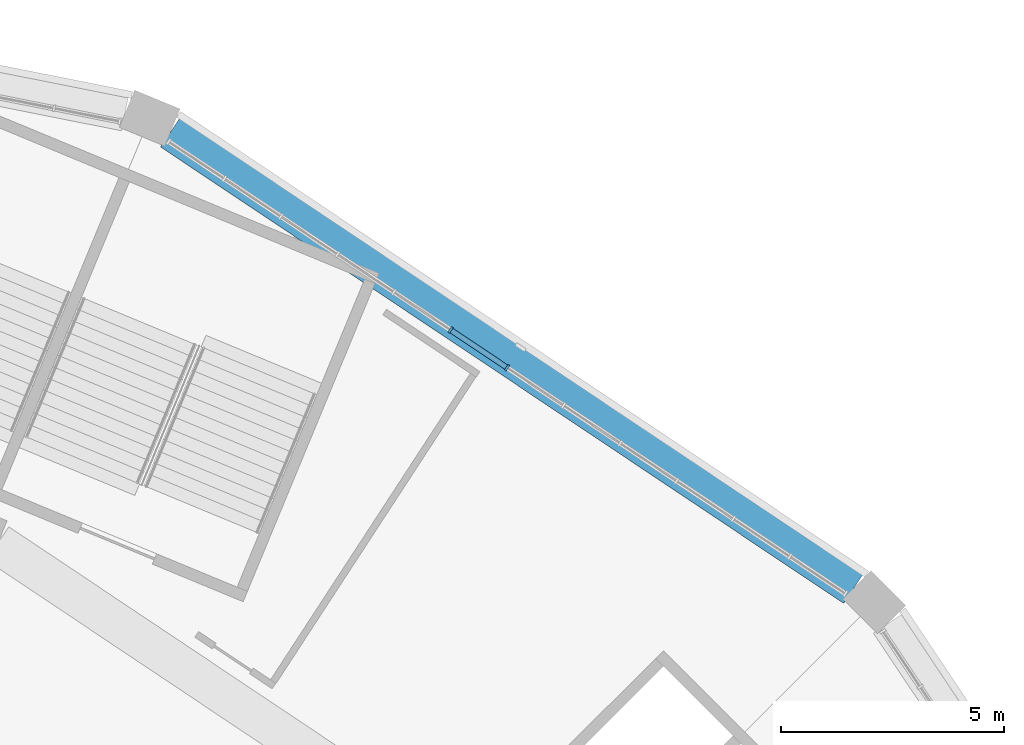
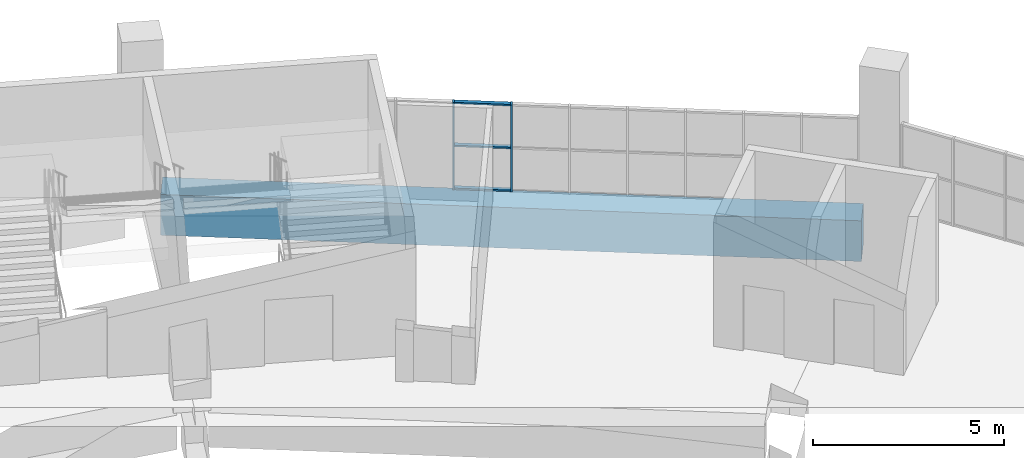
# One storey, part 55 of 199: 5 members, 1 beam, 1 element without a shape of its own.
"""IFC4 building model written with IfcOpenShell, lengths in metres."""

import ifcopenshell
import ifcopenshell.guid

model = None  # the IFC model being written
_history = None  # IfcOwnerHistory: only IFC2X3 demands one
_inside = {}  # id of a spatial element -> (the spatial element, [elements in it])
_under = {}  # id of a project, library or spatial element -> (it, [spatial elements below it])
_declared = {}  # id of a project -> (the project, [libraries it declares])
_typed = {}  # id of a type object -> (the type object, [elements of that type])
_made_of = {}  # id of a material, layer set ... -> (it, [elements and type objects made of it])


def new_model(schema):
    """Start an empty IFC model of exactly this schema.

    Asked for "IFC4X3", IfcOpenShell would pick the latest addendum, in which some entities
    have other attributes; the version numbers below select the first issue.
    IFC2X3 requires an IfcOwnerHistory on every rooted entity: one is made here for all.
    """
    global model, _history
    if schema == "IFC4X3":
        model = ifcopenshell.file(schema_version=(4, 3, 0, 0))
    else:
        model = ifcopenshell.file(schema=schema)
    _inside.clear()
    _under.clear()
    _declared.clear()
    _typed.clear()
    _made_of.clear()
    _history = None
    if model.schema == "IFC2X3":
        org = make("IfcOrganization", Name="unknown")
        user = make(
            "IfcPersonAndOrganization",
            ThePerson=make("IfcPerson", FamilyName="unknown"),
            TheOrganization=org,
        )
        app = make(
            "IfcApplication",
            ApplicationDeveloper=org,
            Version="unknown",
            ApplicationFullName="unknown",
            ApplicationIdentifier="unknown",
        )
        _history = make(
            "IfcOwnerHistory",
            OwningUser=user,
            OwningApplication=app,
            ChangeAction="ADDED",
            CreationDate=0,
        )
    return model


def make(cls, **values):
    """One entity of the class cls with the attributes given. An attribute that is None is left unset."""
    return model.create_entity(
        cls, **{name: value for name, value in values.items() if value is not None}
    )


def rooted(cls, **values):
    """An entity with a GlobalId (a new one), such as an element, a storey or a relation."""
    return make(cls, GlobalId=ifcopenshell.guid.new(), OwnerHistory=_history, **values)


def si_unit(unit_type, name, prefix=None):
    """IfcSIUnit, for example si_unit("LENGTHUNIT", "METRE", prefix="MILLI")."""
    return make("IfcSIUnit", UnitType=unit_type, Prefix=prefix, Name=name)


def assignment(units):
    """IfcUnitAssignment: the units of a project."""
    return None if units is None else make("IfcUnitAssignment", Units=units)


def point(xyz):
    """IfcCartesianPoint."""
    return None if xyz is None else make("IfcCartesianPoint", Coordinates=xyz)


def direction(xyz):
    """IfcDirection."""
    return None if xyz is None else make("IfcDirection", DirectionRatios=xyz)


def frame(location, z_axis=None, x_axis=None):
    """IfcAxis2Placement3D, a coordinate frame: its origin and axes. An axis left out is left unset."""
    return make(
        "IfcAxis2Placement3D",
        Location=point(location),
        Axis=direction(z_axis),
        RefDirection=direction(x_axis),
    )


def frame_2d(location, x_axis=None):
    """IfcAxis2Placement2D, a coordinate frame in the plane: its origin and x axis."""
    return make(
        "IfcAxis2Placement2D", Location=point(location), RefDirection=direction(x_axis)
    )


def origin():
    """The frame at (0, 0, 0) with its axes left unset."""
    return frame((0.0, 0.0, 0.0))


def origin_2d():
    """The frame at (0, 0) in the plane with its x axis left unset."""
    return frame_2d((0.0, 0.0))


def place(relative_to, where):
    """IfcLocalPlacement: puts the frame where relative to a parent placement (None: the world)."""
    return make(
        "IfcLocalPlacement", PlacementRelTo=relative_to, RelativePlacement=where
    )


def context(
    kind, dimensions, precision=None, world=None, true_north=None, identifier=None
):
    """IfcGeometricRepresentationContext, for example the 3D "Model" context."""
    return make(
        "IfcGeometricRepresentationContext",
        ContextIdentifier=identifier,
        ContextType=kind,
        CoordinateSpaceDimension=dimensions,
        Precision=precision,
        WorldCoordinateSystem=world,
        TrueNorth=true_north,
    )


def subcontext(parent, identifier, kind, view, scale=None):
    """IfcGeometricRepresentationSubContext, for example "Body" below "Model"."""
    return make(
        "IfcGeometricRepresentationSubContext",
        ContextIdentifier=identifier,
        ContextType=kind,
        ParentContext=parent,
        TargetScale=scale,
        TargetView=view,
    )


def project(units=None, contexts=None):
    """IfcProject with its units and contexts."""
    return rooted(
        "IfcProject",
        Name="project",
        RepresentationContexts=contexts,
        UnitsInContext=assignment(units),
    )


def spatial(cls, under=None, at=None, **own):
    """A site, building, storey or space (cls), placed at a placement, below another one or the project."""
    s = rooted(cls, ObjectPlacement=at, **own)
    if under is not None:
        _under.setdefault(under.id(), (under, []))[1].append(s)
    return s


def profile(cls, at=None, kind="AREA", **sizes):
    """A parametric profile (cls). Its sizes go by their IFC names, for example OverallWidth=200.0."""
    return make(cls, ProfileType=kind, Position=at, **sizes)


def rectangle(**sizes):
    """IfcRectangleProfileDef."""
    return profile("IfcRectangleProfileDef", **sizes)


def extrude(swept, where, along, depth):
    """IfcExtrudedAreaSolid: the profile swept, set in the frame where, extruded along a direction by depth."""
    return make(
        "IfcExtrudedAreaSolid",
        SweptArea=swept,
        Position=where,
        ExtrudedDirection=direction(along),
        Depth=depth,
    )


def shape(context_of_items, identifier, shape_type, items):
    """IfcShapeRepresentation: the items that make up one representation, for example the "Body"."""
    return make(
        "IfcShapeRepresentation",
        ContextOfItems=context_of_items,
        RepresentationIdentifier=identifier,
        RepresentationType=shape_type,
        Items=items,
    )


def material(Name=None, Category=None):
    """IfcMaterial."""
    return make("IfcMaterial", Name=Name, Category=Category)


def material_profile(
    of_material, cross_section, Name=None, Category=None, Priority=None
):
    """IfcMaterialProfile: a cross section and its material."""
    return make(
        "IfcMaterialProfile",
        Name=Name,
        Material=of_material,
        Profile=cross_section,
        Priority=Priority,
        Category=Category,
    )


def profile_set(profiles, Name=None, composite=None):
    """IfcMaterialProfileSet."""
    return make(
        "IfcMaterialProfileSet",
        Name=Name,
        MaterialProfiles=profiles,
        CompositeProfile=composite,
    )


def made_of(thing, what):
    """Note that an element or type object is made of a material, layer set ...; save() writes the relation."""
    if what is not None:
        _made_of.setdefault(what.id(), (what, []))[1].append(thing)
    return thing


def type_object(cls, material=None, **own):
    """A type object (cls), such as IfcWallType, which elements share."""
    return made_of(rooted(cls, **own), material)


def element(
    cls,
    number,
    at=None,
    inside=None,
    cuts=None,
    type_object=None,
    material=None,
    context=None,
    identifier="Body",
    shape_type=None,
    held_by="IfcProductDefinitionShape",
    body=None,
    shapes=None,
    **own,
):
    """One element of the class cls, such as IfcWall. Its Tag is "e" and its number.

    at: its placement. inside: the storey or other place that contains it. cuts: it is an
    opening in that element (IfcRelVoidsElement). A single representation is given by context,
    identifier, shape_type and body (its items); several are given by shapes. held_by: the class
    of the entity that holds the representations. save() writes the other relations.
    """
    e = rooted(cls, Tag="e%d" % number, ObjectPlacement=at, **own)
    if body is not None:
        shapes = [shape(context, identifier, shape_type, body)]
    if shapes is not None:
        e.Representation = make(held_by, Representations=shapes)
    if inside is not None:
        _inside.setdefault(inside.id(), (inside, []))[1].append(e)
    if cuts is not None:
        rooted(
            "IfcRelVoidsElement", RelatingBuildingElement=cuts, RelatedOpeningElement=e
        )
    if type_object is not None:
        _typed.setdefault(type_object.id(), (type_object, []))[1].append(e)
    return made_of(e, material)


def aggregate(whole, parts):
    """IfcRelAggregates: a whole, such as a stair, and the parts it consists of."""
    return rooted("IfcRelAggregates", RelatingObject=whole, RelatedObjects=parts)


def save(model, path):
    """Write the relations noted so far, then the file.

    IfcRelAggregates (storeys below a building ...), IfcRelContainedInSpatialStructure (elements
    in a storey), IfcRelDefinesByType, IfcRelAssociatesMaterial and IfcRelDeclares: one each for
    every whole, place, type object, material and project.
    """
    for whole, parts in _under.values():
        aggregate(whole, parts)
    for where, things in _inside.values():
        rooted(
            "IfcRelContainedInSpatialStructure",
            RelatedElements=things,
            RelatingStructure=where,
        )
    for kind, things in _typed.values():
        rooted("IfcRelDefinesByType", RelatedObjects=things, RelatingType=kind)
    for what, things in _made_of.values():
        rooted("IfcRelAssociatesMaterial", RelatedObjects=things, RelatingMaterial=what)
    for by, libraries in _declared.values():
        rooted("IfcRelDeclares", RelatingContext=by, RelatedDefinitions=libraries)
    model.write(path)


model = new_model("IFC4")

# Units and contexts
model_context = context("Model", 3, precision=1e-05, world=origin(), true_north=direction((0.0, 1.0)))
body_context = subcontext(model_context, "Body", "Model", "MODEL_VIEW")
ifc_project = project(units=[si_unit("LENGTHUNIT", "METRE"), si_unit("AREAUNIT", "SQUARE_METRE"), si_unit("VOLUMEUNIT", "CUBIC_METRE"), si_unit("PLANEANGLEUNIT", "RADIAN"), si_unit("MASSUNIT", "GRAM", prefix="KILO")], contexts=[model_context])

# Site, building, storey
site_placement = place(None, origin())
site = spatial("IfcSite", under=ifc_project, at=site_placement, CompositionType="ELEMENT")
building_placement = place(site_placement, origin())
building = spatial("IfcBuilding", under=site, at=building_placement, Name="Ogive Plaza Stadium", CompositionType="ELEMENT")
storey_placement = place(building_placement, frame((0.0, 0.0, 4.5)))
storey = spatial("IfcBuildingStorey", under=building, at=storey_placement, Name="L01", CompositionType="ELEMENT", Elevation=4.5)

# Curtain wall, members
ifc_material_1 = material(Name="Bronze-anodised aluminium with laminated glass", Category="aluminium")
curtain_wall_type = type_object("IfcCurtainWallType", Name="Lancet curtain wall", PredefinedType="NOTDEFINED", material=ifc_material_1)
curtain_wall_placement = place(storey_placement, origin())
curtain_wall = element("IfcCurtainWall", 1, at=curtain_wall_placement, inside=storey, type_object=curtain_wall_type, Name="CURTAIN WALL B38 L01", PredefinedType="NOTDEFINED")
ifc_material_2 = material(Name="Bronze-anodised aluminium", Category="aluminium")
ifc_material_profile_1 = material_profile(ifc_material_2, rectangle(XDim=0.14990234375, YDim=0.050048828125, at=origin_2d()), Name="AL 150x50")
ifc_profile_set_1 = profile_set([ifc_material_profile_1], Name="Bronze-anodised aluminium")
member_type_1 = type_object("IfcMemberType", Name="Curtain wall mullion 50x150", PredefinedType="MULLION", material=ifc_profile_set_1)
member_1_placement = place(storey_placement, frame((59.867919921875, 93.9541015625, 0.0), z_axis=(0.0, 0.0, 1.0), x_axis=(0.55557023302, 0.831469612303, 0.0)))
member_1 = element("IfcMember", 2, at=member_1_placement, type_object=member_type_1, Name="CW-B38-L01 mullion 6", PredefinedType="MULLION", context=body_context, shape_type="SweptSolid", body=[
    extrude(rectangle(XDim=0.14990234375, YDim=0.050048828125, at=origin_2d()), origin(), (0.0, 0.0, 1.0), 2.7900390625),
])
member_2_placement = place(storey_placement, frame((61.133544921875, 93.1083984375, 0.0), z_axis=(0.0, 0.0, 1.0), x_axis=(0.55557023302, 0.831469612303, 0.0)))
member_2 = element("IfcMember", 3, at=member_2_placement, type_object=member_type_1, Name="CW-B38-L01 mullion 7", PredefinedType="MULLION", context=body_context, shape_type="SweptSolid", body=[
    extrude(rectangle(XDim=0.14990234375, YDim=0.050048828125, at=origin_2d()), origin(), (0.0, 0.0, 1.0), 2.7900390625),
])
ifc_material_3 = material(Name="Bronze-anodised aluminium", Category="aluminium")
ifc_material_profile_2 = material_profile(ifc_material_3, rectangle(XDim=0.1201171875, YDim=0.050048828125, at=origin_2d()), Name="AL 120x50")
ifc_profile_set_2 = profile_set([ifc_material_profile_2], Name="Bronze-anodised aluminium")
member_type_2 = type_object("IfcMemberType", Name="Curtain wall transom 50x120", PredefinedType="USERDEFINED", material=ifc_profile_set_2)
member_3_placement = place(storey_placement, frame((59.888671875, 93.940185546875, 0.02490234375), z_axis=(0.831488586159, -0.555541835587, 0.0), x_axis=(0.555541835587, 0.831488586159, 0.0)))
member_3 = element("IfcMember", 4, at=member_3_placement, type_object=member_type_2, Name="CW-B38-L01 transom 6.1", ObjectType="TRANSOM", PredefinedType="USERDEFINED", context=body_context, shape_type="SweptSolid", body=[
    extrude(rectangle(XDim=0.1201171875, YDim=0.050048828125, at=origin_2d()), origin(), (0.0, 0.0, 1.0), 1.47216796875),
])
member_4_placement = place(storey_placement, frame((59.888671875, 93.940185546875, 1.39501953125), z_axis=(0.831488586159, -0.555541835587, 0.0), x_axis=(0.555541835587, 0.831488586159, 0.0)))
member_4 = element("IfcMember", 5, at=member_4_placement, type_object=member_type_2, Name="CW-B38-L01 transom 6.2", ObjectType="TRANSOM", PredefinedType="USERDEFINED", context=body_context, shape_type="SweptSolid", body=[
    extrude(rectangle(XDim=0.1201171875, YDim=0.050048828125, at=origin_2d()), origin(), (0.0, 0.0, 1.0), 1.47216796875),
])
member_5_placement = place(storey_placement, frame((59.888671875, 93.940185546875, 2.764892578125), z_axis=(0.831488586159, -0.555541835587, 0.0), x_axis=(0.555541835587, 0.831488586159, 0.0)))
member_5 = element("IfcMember", 6, at=member_5_placement, type_object=member_type_2, Name="CW-B38-L01 transom 6.3", ObjectType="TRANSOM", PredefinedType="USERDEFINED", context=body_context, shape_type="SweptSolid", body=[
    extrude(rectangle(XDim=0.1201171875, YDim=0.050048828125, at=origin_2d()), origin(), (0.0, 0.0, 1.0), 1.47216796875),
])
aggregate(curtain_wall, [member_1, member_2, member_3, member_4, member_5])

# Beam
ifc_material_4 = material(Name="Concrete C40/50", Category="concrete")
ifc_material_profile_3 = material_profile(ifc_material_4, rectangle(XDim=0.800048828125, YDim=1.300048828125, at=origin_2d()), Name="RC 800x1300")
ifc_profile_set_3 = profile_set([ifc_material_profile_3], Name="Concrete C40/50")
beam_type = type_object("IfcBeamType", Name="RC spandrel beam 800x1300", PredefinedType="SPANDREL", material=ifc_profile_set_3)
beam_placement = place(storey_placement, frame((53.600341796875, 98.38232421875, -1.06005859375), z_axis=(0.831477897484, -0.555557833169, 0.0), x_axis=(0.555557833169, 0.831477897484, 0.0)))
element("IfcBeam", 7, at=beam_placement, inside=storey, type_object=beam_type, Name="Ring beam F5 L01 B38", PredefinedType="SPANDREL", context=body_context, shape_type="SweptSolid", body=[
    extrude(rectangle(XDim=0.800048828125, YDim=1.300048828125, at=origin_2d()), origin(), (0.0, 0.0, 1.0), 18.387451171875),
])

save(model, "model.ifc")
